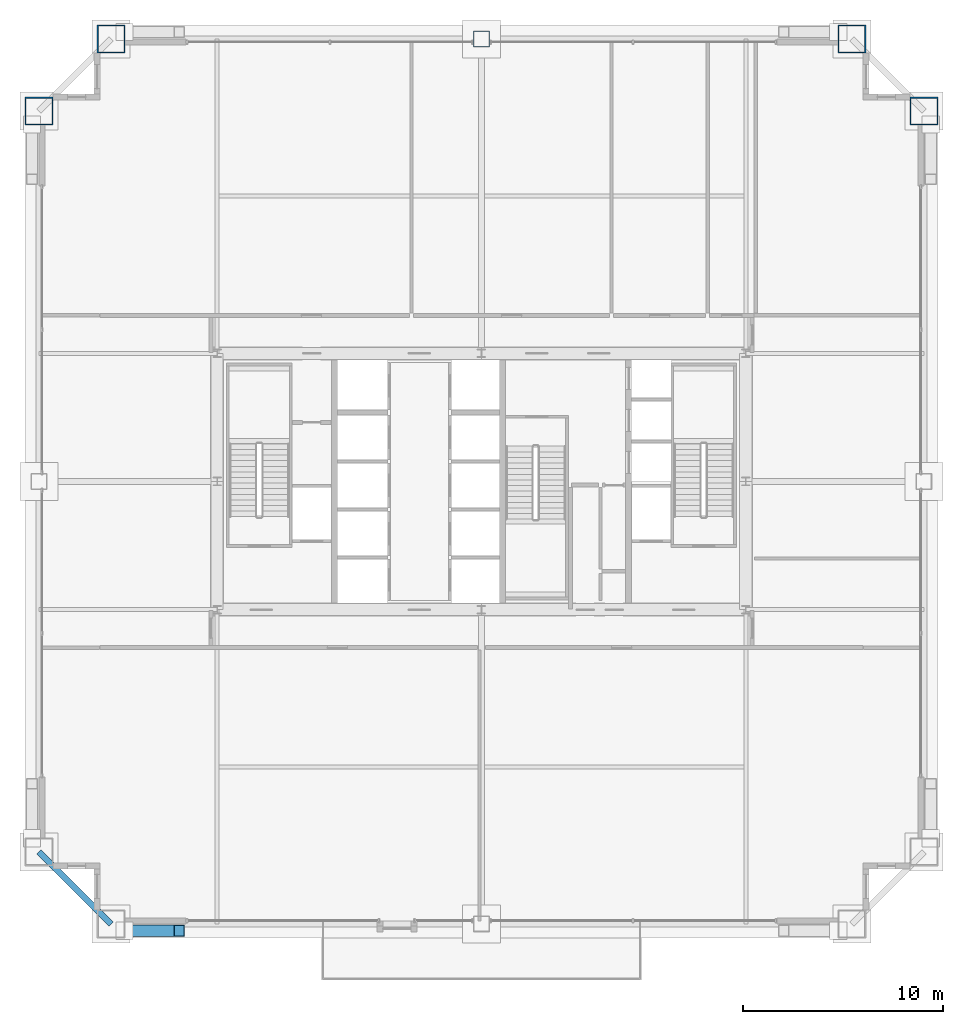
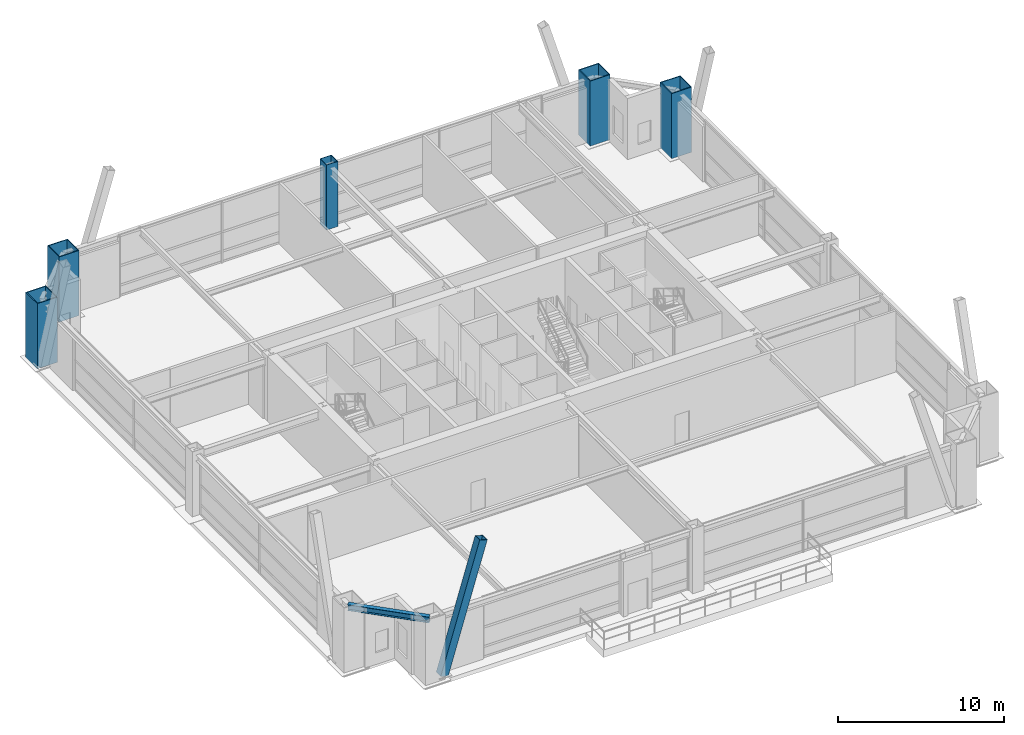
# One storey, part 3 of 34: 5 columns, 1 beam, 1 member.
"""IFC4 building model written with IfcOpenShell, lengths in metres."""

import ifcopenshell
import ifcopenshell.guid

model = None  # the IFC model being written
_history = None  # IfcOwnerHistory: only IFC2X3 demands one
_inside = {}  # id of a spatial element -> (the spatial element, [elements in it])
_under = {}  # id of a project, library or spatial element -> (it, [spatial elements below it])
_declared = {}  # id of a project -> (the project, [libraries it declares])
_typed = {}  # id of a type object -> (the type object, [elements of that type])
_made_of = {}  # id of a material, layer set ... -> (it, [elements and type objects made of it])


def new_model(schema):
    """Start an empty IFC model of exactly this schema.

    Asked for "IFC4X3", IfcOpenShell would pick the latest addendum, in which some entities
    have other attributes; the version numbers below select the first issue.
    IFC2X3 requires an IfcOwnerHistory on every rooted entity: one is made here for all.
    """
    global model, _history
    if schema == "IFC4X3":
        model = ifcopenshell.file(schema_version=(4, 3, 0, 0))
    else:
        model = ifcopenshell.file(schema=schema)
    _inside.clear()
    _under.clear()
    _declared.clear()
    _typed.clear()
    _made_of.clear()
    _history = None
    if model.schema == "IFC2X3":
        org = make("IfcOrganization", Name="unknown")
        user = make(
            "IfcPersonAndOrganization",
            ThePerson=make("IfcPerson", FamilyName="unknown"),
            TheOrganization=org,
        )
        app = make(
            "IfcApplication",
            ApplicationDeveloper=org,
            Version="unknown",
            ApplicationFullName="unknown",
            ApplicationIdentifier="unknown",
        )
        _history = make(
            "IfcOwnerHistory",
            OwningUser=user,
            OwningApplication=app,
            ChangeAction="ADDED",
            CreationDate=0,
        )
    return model


def make(cls, **values):
    """One entity of the class cls with the attributes given. An attribute that is None is left unset."""
    return model.create_entity(
        cls, **{name: value for name, value in values.items() if value is not None}
    )


def rooted(cls, **values):
    """An entity with a GlobalId (a new one), such as an element, a storey or a relation."""
    return make(cls, GlobalId=ifcopenshell.guid.new(), OwnerHistory=_history, **values)


def si_unit(unit_type, name, prefix=None):
    """IfcSIUnit, for example si_unit("LENGTHUNIT", "METRE", prefix="MILLI")."""
    return make("IfcSIUnit", UnitType=unit_type, Prefix=prefix, Name=name)


def assignment(units):
    """IfcUnitAssignment: the units of a project."""
    return None if units is None else make("IfcUnitAssignment", Units=units)


def point(xyz):
    """IfcCartesianPoint."""
    return None if xyz is None else make("IfcCartesianPoint", Coordinates=xyz)


def direction(xyz):
    """IfcDirection."""
    return None if xyz is None else make("IfcDirection", DirectionRatios=xyz)


def frame(location, z_axis=None, x_axis=None):
    """IfcAxis2Placement3D, a coordinate frame: its origin and axes. An axis left out is left unset."""
    return make(
        "IfcAxis2Placement3D",
        Location=point(location),
        Axis=direction(z_axis),
        RefDirection=direction(x_axis),
    )


def frame_2d(location, x_axis=None):
    """IfcAxis2Placement2D, a coordinate frame in the plane: its origin and x axis."""
    return make(
        "IfcAxis2Placement2D", Location=point(location), RefDirection=direction(x_axis)
    )


def origin():
    """The frame at (0, 0, 0) with its axes left unset."""
    return frame((0.0, 0.0, 0.0))


def origin_2d():
    """The frame at (0, 0) in the plane with its x axis left unset."""
    return frame_2d((0.0, 0.0))


def place(relative_to, where):
    """IfcLocalPlacement: puts the frame where relative to a parent placement (None: the world)."""
    return make(
        "IfcLocalPlacement", PlacementRelTo=relative_to, RelativePlacement=where
    )


def context(
    kind, dimensions, precision=None, world=None, true_north=None, identifier=None
):
    """IfcGeometricRepresentationContext, for example the 3D "Model" context."""
    return make(
        "IfcGeometricRepresentationContext",
        ContextIdentifier=identifier,
        ContextType=kind,
        CoordinateSpaceDimension=dimensions,
        Precision=precision,
        WorldCoordinateSystem=world,
        TrueNorth=true_north,
    )


def subcontext(parent, identifier, kind, view, scale=None):
    """IfcGeometricRepresentationSubContext, for example "Body" below "Model"."""
    return make(
        "IfcGeometricRepresentationSubContext",
        ContextIdentifier=identifier,
        ContextType=kind,
        ParentContext=parent,
        TargetScale=scale,
        TargetView=view,
    )


def project(units=None, contexts=None):
    """IfcProject with its units and contexts."""
    return rooted(
        "IfcProject",
        Name="project",
        RepresentationContexts=contexts,
        UnitsInContext=assignment(units),
    )


def spatial(cls, under=None, at=None, **own):
    """A site, building, storey or space (cls), placed at a placement, below another one or the project."""
    s = rooted(cls, ObjectPlacement=at, **own)
    if under is not None:
        _under.setdefault(under.id(), (under, []))[1].append(s)
    return s


def profile(cls, at=None, kind="AREA", **sizes):
    """A parametric profile (cls). Its sizes go by their IFC names, for example OverallWidth=200.0."""
    return make(cls, ProfileType=kind, Position=at, **sizes)


def hollow_rectangle(**sizes):
    """IfcRectangleHollowProfileDef."""
    return profile("IfcRectangleHollowProfileDef", **sizes)


def i_section(**sizes):
    """IfcIShapeProfileDef."""
    return profile("IfcIShapeProfileDef", **sizes)


def extrude(swept, where, along, depth):
    """IfcExtrudedAreaSolid: the profile swept, set in the frame where, extruded along a direction by depth."""
    return make(
        "IfcExtrudedAreaSolid",
        SweptArea=swept,
        Position=where,
        ExtrudedDirection=direction(along),
        Depth=depth,
    )


def shape(context_of_items, identifier, shape_type, items):
    """IfcShapeRepresentation: the items that make up one representation, for example the "Body"."""
    return make(
        "IfcShapeRepresentation",
        ContextOfItems=context_of_items,
        RepresentationIdentifier=identifier,
        RepresentationType=shape_type,
        Items=items,
    )


def source(mapping_origin, context_of_items, identifier, shape_type, items):
    """IfcRepresentationMap: a shape defined once, which mapped items show again and again."""
    return make(
        "IfcRepresentationMap",
        MappingOrigin=mapping_origin,
        MappedRepresentation=shape(context_of_items, identifier, shape_type, items),
    )


def transform(
    local_origin,
    x_axis=None,
    y_axis=None,
    z_axis=None,
    scale=None,
    scale2=None,
    scale3=None,
    uniform=True,
):
    """IfcCartesianTransformationOperator3D, or its non-uniform kind. x_axis, y_axis, z_axis: its Axis1, 2, 3."""
    if uniform:
        return make(
            "IfcCartesianTransformationOperator3D",
            Axis1=direction(x_axis),
            Axis2=direction(y_axis),
            LocalOrigin=point(local_origin),
            Scale=scale,
            Axis3=direction(z_axis),
        )
    return make(
        "IfcCartesianTransformationOperator3DnonUniform",
        Axis1=direction(x_axis),
        Axis2=direction(y_axis),
        LocalOrigin=point(local_origin),
        Scale=scale,
        Axis3=direction(z_axis),
        Scale2=scale2,
        Scale3=scale3,
    )


def mapped(mapping_source, mapping_target):
    """IfcMappedItem: shows the shape of a source again, moved by a transform."""
    return make(
        "IfcMappedItem", MappingSource=mapping_source, MappingTarget=mapping_target
    )


def material(Name=None, Category=None):
    """IfcMaterial."""
    return make("IfcMaterial", Name=Name, Category=Category)


def material_profile(
    of_material, cross_section, Name=None, Category=None, Priority=None
):
    """IfcMaterialProfile: a cross section and its material."""
    return make(
        "IfcMaterialProfile",
        Name=Name,
        Material=of_material,
        Profile=cross_section,
        Priority=Priority,
        Category=Category,
    )


def profile_set(profiles, Name=None, composite=None):
    """IfcMaterialProfileSet."""
    return make(
        "IfcMaterialProfileSet",
        Name=Name,
        MaterialProfiles=profiles,
        CompositeProfile=composite,
    )


def made_of(thing, what):
    """Note that an element or type object is made of a material, layer set ...; save() writes the relation."""
    if what is not None:
        _made_of.setdefault(what.id(), (what, []))[1].append(thing)
    return thing


def type_object(cls, material=None, **own):
    """A type object (cls), such as IfcWallType, which elements share."""
    return made_of(rooted(cls, **own), material)


def element(
    cls,
    number,
    at=None,
    inside=None,
    cuts=None,
    type_object=None,
    material=None,
    context=None,
    identifier="Body",
    shape_type=None,
    held_by="IfcProductDefinitionShape",
    body=None,
    shapes=None,
    **own,
):
    """One element of the class cls, such as IfcWall. Its Tag is "e" and its number.

    at: its placement. inside: the storey or other place that contains it. cuts: it is an
    opening in that element (IfcRelVoidsElement). A single representation is given by context,
    identifier, shape_type and body (its items); several are given by shapes. held_by: the class
    of the entity that holds the representations. save() writes the other relations.
    """
    e = rooted(cls, Tag="e%d" % number, ObjectPlacement=at, **own)
    if body is not None:
        shapes = [shape(context, identifier, shape_type, body)]
    if shapes is not None:
        e.Representation = make(held_by, Representations=shapes)
    if inside is not None:
        _inside.setdefault(inside.id(), (inside, []))[1].append(e)
    if cuts is not None:
        rooted(
            "IfcRelVoidsElement", RelatingBuildingElement=cuts, RelatedOpeningElement=e
        )
    if type_object is not None:
        _typed.setdefault(type_object.id(), (type_object, []))[1].append(e)
    return made_of(e, material)


def aggregate(whole, parts):
    """IfcRelAggregates: a whole, such as a stair, and the parts it consists of."""
    return rooted("IfcRelAggregates", RelatingObject=whole, RelatedObjects=parts)


def save(model, path):
    """Write the relations noted so far, then the file.

    IfcRelAggregates (storeys below a building ...), IfcRelContainedInSpatialStructure (elements
    in a storey), IfcRelDefinesByType, IfcRelAssociatesMaterial and IfcRelDeclares: one each for
    every whole, place, type object, material and project.
    """
    for whole, parts in _under.values():
        aggregate(whole, parts)
    for where, things in _inside.values():
        rooted(
            "IfcRelContainedInSpatialStructure",
            RelatedElements=things,
            RelatingStructure=where,
        )
    for kind, things in _typed.values():
        rooted("IfcRelDefinesByType", RelatedObjects=things, RelatingType=kind)
    for what, things in _made_of.values():
        rooted("IfcRelAssociatesMaterial", RelatedObjects=things, RelatingMaterial=what)
    for by, libraries in _declared.values():
        rooted("IfcRelDeclares", RelatingContext=by, RelatedDefinitions=libraries)
    model.write(path)


model = new_model("IFC4")

# Units and contexts
model_context = context("Model", 3, precision=1e-05, world=origin(), true_north=direction((0.0, 1.0)))
body_context = subcontext(model_context, "Body", "Model", "MODEL_VIEW")
ifc_project = project(units=[si_unit("LENGTHUNIT", "METRE"), si_unit("AREAUNIT", "SQUARE_METRE"), si_unit("VOLUMEUNIT", "CUBIC_METRE"), si_unit("PLANEANGLEUNIT", "RADIAN"), si_unit("MASSUNIT", "GRAM", prefix="KILO"), si_unit("THERMODYNAMICTEMPERATUREUNIT", "KELVIN"), si_unit("POWERUNIT", "WATT")], contexts=[model_context])

# Site, building, storey
site_placement = place(None, origin())
site = spatial("IfcSite", under=ifc_project, at=site_placement, CompositionType="ELEMENT")
building_placement = place(site_placement, origin())
building = spatial("IfcBuilding", under=site, at=building_placement, Name="Yuzanri Waterfront Tower", CompositionType="ELEMENT")
storey_placement = place(building_placement, frame((0.0, 0.0, 166.800048828125)))
storey = spatial("IfcBuildingStorey", under=building, at=storey_placement, Name="L44", CompositionType="ELEMENT", Elevation=166.800048828125)

# Columns
ifc_material_1 = material(Name="Steel Q420GJC", Category="steel")
ifc_material_profile_1 = material_profile(ifc_material_1, hollow_rectangle(XDim=1.39990234375, YDim=1.39990234375, WallThickness=0.06005859375, at=origin_2d()), Name="RHS 1400x1400x60")
ifc_profile_set_1 = profile_set([ifc_material_profile_1], Name="Steel Q420GJC")
column_type_1 = type_object("IfcColumnType", Name="Mega Column Q420GJC RHS 1400x1400x60", PredefinedType="COLUMN", material=ifc_profile_set_1)
shared_shape_1 = source(origin(), body_context, "Body", "SweptSolid", [
    extrude(hollow_rectangle(XDim=1.39990234375, YDim=1.39990234375, WallThickness=0.06005859375, at=origin_2d()), origin(), (0.0, 0.0, 1.0), 4.800048828125),
])
for number, where, z_axis, x_axis, name in (
    (1, (18.5, 47.89990234375, 0.0), (0.0, 0.0, 1.0), (1.0, 0.0, 0.0), "L44 Perimeter Mega Column N1"),
    (2, (55.5, 47.89990234375, 0.0), (0.0, 0.0, 1.0), (1.0, 0.0, 0.0), "L44 Perimeter Mega Column N3"),
    (3, (14.89990234375, 44.300048828125, 0.0), (0.0, 0.0, 1.0), (1.0, 0.0, 0.0), "L44 Perimeter Mega Column W3"),
    (4, (59.10009765625, 44.300048828125, 0.0), (0.0, 0.0, 1.0), (1.0, 0.0, 0.0), "L44 Perimeter Mega Column E3"),
):
    element("IfcColumn", number, at=place(storey_placement, frame(where, z_axis=z_axis, x_axis=x_axis)), inside=storey, type_object=column_type_1, Name=name, PredefinedType="COLUMN", context=body_context, shape_type="MappedRepresentation", body=[
        mapped(shared_shape_1, transform((0.0, 0.0, 0.0), scale=1.0)),
    ])
ifc_material_2 = material(Name="Steel Q390GJC", Category="steel")
ifc_material_profile_2 = material_profile(ifc_material_2, hollow_rectangle(XDim=0.800048828125, YDim=0.800048828125, WallThickness=0.035888671875, at=origin_2d()), Name="RHS 800x800x36")
ifc_profile_set_2 = profile_set([ifc_material_profile_2], Name="Steel Q390GJC")
column_type_2 = type_object("IfcColumnType", Name="Frame Column Q390GJC RHS 800x800x36", PredefinedType="COLUMN", material=ifc_profile_set_2)
shared_shape_2 = source(origin(), body_context, "Body", "SweptSolid", [
    extrude(hollow_rectangle(XDim=0.800048828125, YDim=0.800048828125, WallThickness=0.035888671875, at=origin_2d()), origin(), (0.0, 0.0, 1.0), 4.800048828125),
])
column_placement = place(storey_placement, frame((37.0, 47.89990234375, 0.0), z_axis=(0.0, 0.0, 1.0), x_axis=(1.0, 0.0, 0.0)))
element("IfcColumn", 5, at=column_placement, inside=storey, type_object=column_type_2, Name="L44 Perimeter Frame Column N2", PredefinedType="COLUMN", context=body_context, shape_type="MappedRepresentation", body=[
    mapped(shared_shape_2, transform((0.0, 0.0, 0.0), scale=1.0)),
])

# Beam
ifc_material_3 = material(Name="Steel Q355B", Category="steel")
ifc_material_profile_3 = material_profile(ifc_material_3, i_section(OverallWidth=0.300048828125, OverallDepth=0.43994140625, WebThickness=0.010986328125, FlangeThickness=0.01806640625, at=origin_2d()), Name="HM 440x300x11x18")
ifc_profile_set_3 = profile_set([ifc_material_profile_3], Name="Steel Q355B")
beam_type = type_object("IfcBeamType", Name="Perimeter Spandrel Q355B HM 440x300", PredefinedType="SPANDREL", material=ifc_profile_set_3)
shared_shape_3 = source(origin(), body_context, "Body", "SweptSolid", [
    extrude(i_section(OverallWidth=0.300048828125, OverallDepth=0.43994140625, WebThickness=0.010986328125, FlangeThickness=0.01806640625, at=origin_2d()), origin(), (0.0, 0.0, 1.0), 5.09130859375),
])
beam_placement = place(storey_placement, frame((14.89990234375, 7.300048828125, 4.280029296875), z_axis=(0.707106781187, -0.707106781187, 0.0), x_axis=(0.707106781187, 0.707106781187, 0.0)))
element("IfcBeam", 6, at=beam_placement, inside=storey, type_object=beam_type, Name="L44 Perimeter Spandrel W1-S1", PredefinedType="SPANDREL", context=body_context, shape_type="MappedRepresentation", body=[
    mapped(shared_shape_3, transform((0.0, 0.0, 0.0), scale=1.0)),
])

# Member
ifc_material_4 = material(Name="Steel Q390GJC", Category="steel")
ifc_material_profile_4 = material_profile(ifc_material_4, hollow_rectangle(XDim=0.550048828125, YDim=0.550048828125, WallThickness=0.02490234375, at=origin_2d()), Name="RHS 550x550x25")
ifc_profile_set_4 = profile_set([ifc_material_profile_4], Name="Steel Q390GJC")
member_type = type_object("IfcMemberType", Name="Mega Brace Mid Q390GJC RHS 550x550x25", PredefinedType="BRACE", material=ifc_profile_set_4)
shared_shape_4 = source(origin(), body_context, "Body", "SweptSolid", [
    extrude(hollow_rectangle(XDim=0.550048828125, YDim=0.550048828125, WallThickness=0.02490234375, at=origin_2d()), origin(), (0.0, 0.0, 1.0), 9.497802734375),
])
member_placement = place(storey_placement, frame((19.179931640625, 3.360107421875, 0.179931640625), z_axis=(0.286376146952, 0.0, 0.958117269679), x_axis=(0.0, 1.0, 0.0)))
element("IfcMember", 7, at=member_placement, inside=storey, type_object=member_type, Name="L44-L45 Perimeter Mega-Brace S-L", PredefinedType="BRACE", context=body_context, shape_type="MappedRepresentation", body=[
    mapped(shared_shape_4, transform((0.0, 0.0, 0.0), scale=1.0)),
])

save(model, "model.ifc")
